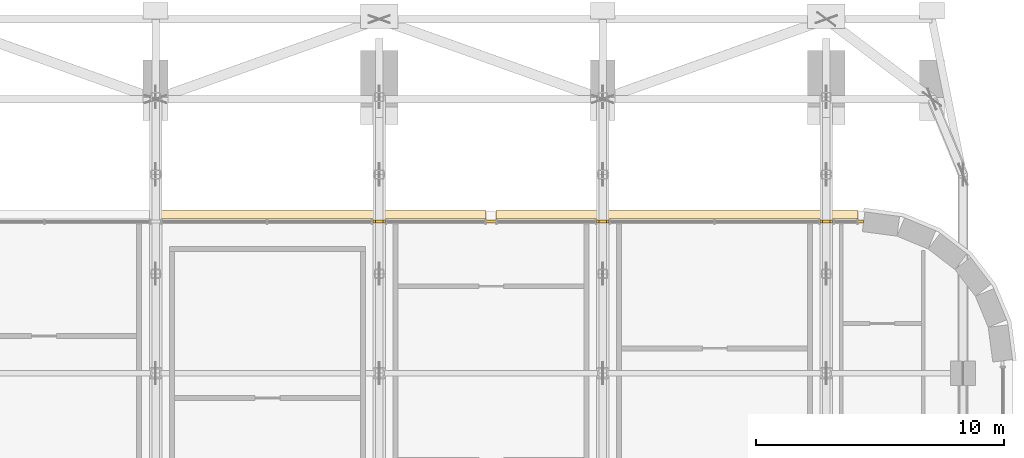
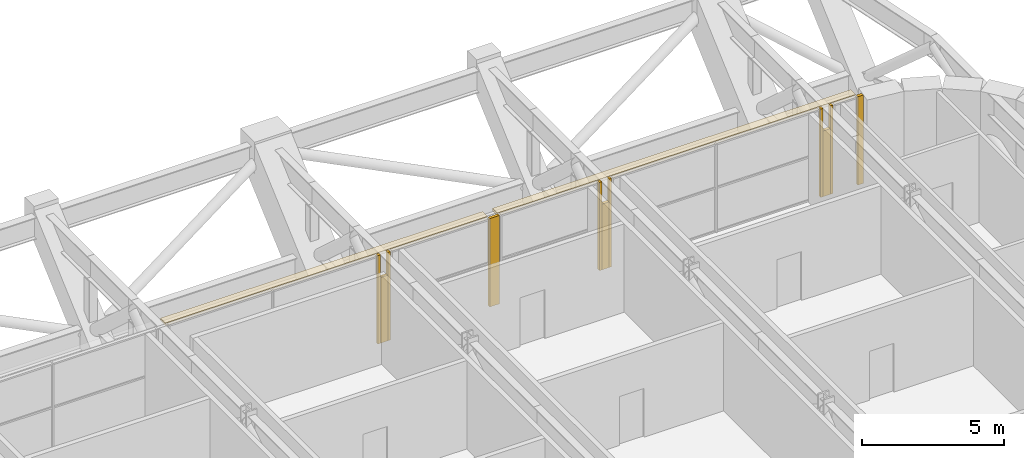
# One storey, part 22 of 23: 13 coverings.
"""IFC4 building model written with IfcOpenShell, lengths in metres."""

from ifc_helpers import new_model, si_unit, direction, frame, origin, origin_2d, place, context, subcontext, project, spatial, polyline, rectangle, outline, extrude, material, layer, layer_set, type_object, element, save


model = new_model("IFC4")

# Units and contexts
model_context = context("Model", 3, precision=1e-05, world=origin(), true_north=direction((0.0, 1.0)))
body_context = subcontext(model_context, "Body", "Model", "MODEL_VIEW")
ifc_project = project(units=[si_unit("LENGTHUNIT", "METRE"), si_unit("AREAUNIT", "SQUARE_METRE"), si_unit("VOLUMEUNIT", "CUBIC_METRE"), si_unit("PLANEANGLEUNIT", "RADIAN"), si_unit("MASSUNIT", "GRAM", prefix="KILO")], contexts=[model_context])

# Site, building, storey
site_placement = place(None, origin())
site = spatial("IfcSite", under=ifc_project, at=site_placement, CompositionType="ELEMENT")
building_placement = place(site_placement, origin())
building = spatial("IfcBuilding", under=site, at=building_placement, Name="Zellij Exchange Tower", CompositionType="ELEMENT")
storey_placement = place(building_placement, frame((0.0, 0.0, 160.5)))
storey = spatial("IfcBuildingStorey", under=building, at=storey_placement, Name="L36", CompositionType="ELEMENT", Elevation=160.5)

# Coverings
ifc_material_1 = material(Name="Limestone cladding", Category="masonry")
ifc_layer_1 = layer(ifc_material_1, 0.1201171875)
ifc_layer_set_1 = layer_set([ifc_layer_1], Name="Limestone cladding")
covering_type_1 = type_object("IfcCoveringType", Name="ENV-CV18 Glazing closer 120", PredefinedType="CLADDING", material=ifc_layer_set_1)
covering_1_placement = place(storey_placement, frame((13.5, 20.10009765625, 0.0), z_axis=(0.0, 0.0, 1.0), x_axis=(-1.0, 0.0, 0.0)))
element("IfcCovering", 1, at=covering_1_placement, inside=storey, type_object=covering_type_1, Name="Glazing closer", PredefinedType="CLADDING", context=body_context, shape_type="SweptSolid", body=[
    extrude(rectangle(XDim=0.39990234375, YDim=0.1201171875, at=origin_2d()), origin(), (0.0, 0.0, 1.0), 3.800048828125),
])
for number, where, z_axis, x_axis, name in (
    (2, (27.0, 20.10009765625, 0.0), (0.0, 0.0, 1.0), (-1.0, 0.0, 0.0), "Glazing closer"),
    (3, (18.0, 20.10009765625, 0.0), (0.0, 0.0, 1.0), (-1.0, 0.0, 0.0), "Glazing closer"),
    (4, (9.0, 20.10009765625, 0.0), (0.0, 0.0, 1.0), (-1.0, 0.0, 0.0), "Glazing closer"),
):
    element("IfcCovering", number, at=place(storey_placement, frame(where, z_axis=z_axis, x_axis=x_axis)), inside=storey, type_object=covering_type_1, Name=name, PredefinedType="CLADDING", context=body_context, shape_type="SweptSolid", body=[
        extrude(rectangle(XDim=0.2998046875, YDim=0.1201171875, at=origin_2d()), origin(), (0.0, 0.0, 1.0), 2.82470703125),
    ])
covering_2_placement = place(storey_placement, frame((28.383056640625, 20.10009765625, 0.0), z_axis=(0.0, 0.0, 1.0), x_axis=(1.0, 0.0, 0.0)))
element("IfcCovering", 5, at=covering_2_placement, inside=storey, type_object=covering_type_1, Name="Glazing closer", PredefinedType="CLADDING", context=body_context, shape_type="SweptSolid", body=[
    extrude(rectangle(XDim=0.218505859375, YDim=0.1201171875, at=origin_2d()), origin(), (0.0, 0.0, 1.0), 3.800048828125),
])
for number, where, z_axis, x_axis, name in (
    (6, (9.199951171875, 20.10009765625, 0.0), (0.0, 0.0, 1.0), (-1.0, 0.0, 0.0), "Glazing closer"),
    (7, (8.800048828125, 20.10009765625, 0.0), (0.0, 0.0, 1.0), (-1.0, 0.0, 0.0), "Glazing closer"),
    (8, (27.199951171875, 20.10009765625, 0.0), (0.0, 0.0, 1.0), (-1.0, 0.0, 0.0), "Glazing closer"),
    (9, (26.800048828125, 20.10009765625, 0.0), (0.0, 0.0, 1.0), (-1.0, 0.0, 0.0), "Glazing closer"),
    (10, (18.199951171875, 20.10009765625, 0.0), (0.0, 0.0, 1.0), (-1.0, 0.0, 0.0), "Glazing closer"),
    (11, (17.800048828125, 20.10009765625, 0.0), (0.0, 0.0, 1.0), (-1.0, 0.0, 0.0), "Glazing closer"),
):
    element("IfcCovering", number, at=place(storey_placement, frame(where, z_axis=z_axis, x_axis=x_axis)), inside=storey, type_object=covering_type_1, Name=name, PredefinedType="CLADDING", context=body_context, shape_type="SweptSolid", body=[
        extrude(rectangle(XDim=0.10009765625, YDim=0.1201171875, at=origin_2d()), origin(), (0.0, 0.0, 1.0), 3.800048828125),
    ])
ifc_material_2 = material(Name="Limestone sunshade", Category="masonry")
ifc_layer_2 = layer(ifc_material_2, 0.1201171875)
ifc_layer_set_2 = layer_set([ifc_layer_2], Name="Limestone sunshade")
covering_type_2 = type_object("IfcCoveringType", Name="ENV-SC2 Stone sunshade 120", PredefinedType="USERDEFINED", material=ifc_layer_set_2)
covering_3_placement = place(storey_placement, frame((0.0, 0.0, 3.679931640625)))
element("IfcCovering", 12, at=covering_3_placement, inside=storey, type_object=covering_type_2, Name="Stone sunshade", ObjectType="SUNSHADE", PredefinedType="USERDEFINED", context=body_context, shape_type="SweptSolid", body=[
    extrude(outline(polyline([(28.273681640625, 20.199951171875), (13.699951171875, 20.199951171875), (13.699951171875, 20.550048828125), (28.273681640625, 20.550048828125), (28.273681640625, 20.199951171875)])), origin(), (0.0, 0.0, 1.0), 0.1201171875),
])
covering_4_placement = place(storey_placement, frame((0.0, 0.0, 3.679931640625)))
element("IfcCovering", 13, at=covering_4_placement, inside=storey, type_object=covering_type_2, Name="Stone sunshade", ObjectType="SUNSHADE", PredefinedType="USERDEFINED", context=body_context, shape_type="SweptSolid", body=[
    extrude(outline(polyline([(13.300048828125, 20.199951171875), (0.199951171875, 20.199951171875), (0.199951171875, 20.550048828125), (13.300048828125, 20.550048828125), (13.300048828125, 20.199951171875)])), origin(), (0.0, 0.0, 1.0), 0.1201171875),
])

save(model, "model.ifc")
